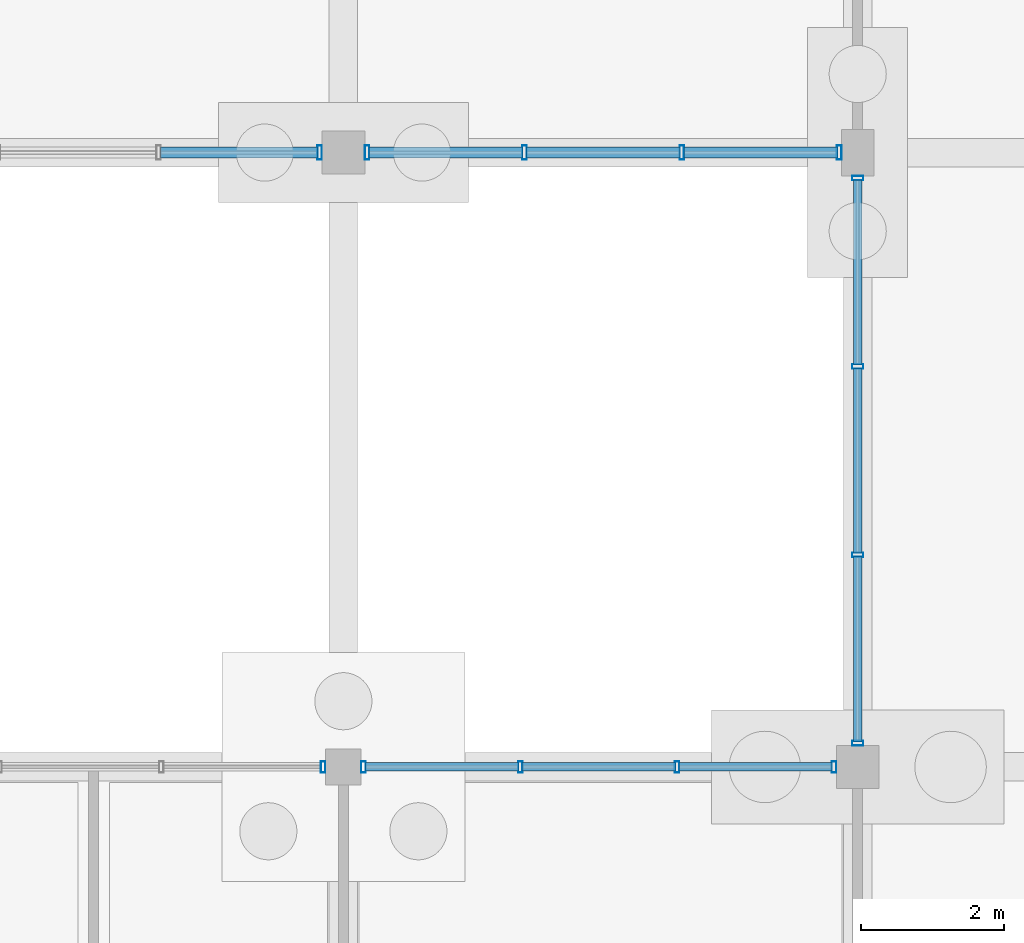
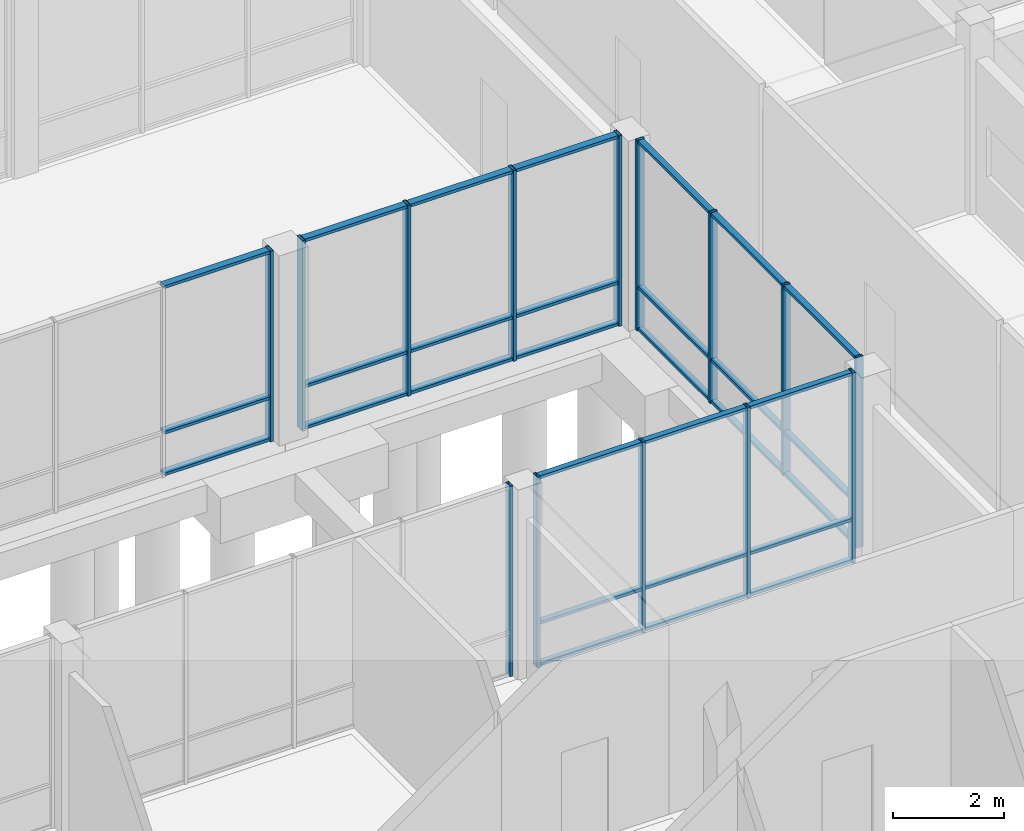
# One storey, part 54 of 104: 44 members, 5 elements without a shape of their own.
"""IFC4 building model written with IfcOpenShell, lengths in metres."""

from ifc_helpers import new_model, si_unit, direction, frame, origin, origin_2d, place, context, subcontext, project, spatial, hollow_rectangle, extrude, material, material_profile, profile_set, type_object, element, aggregate, save


model = new_model("IFC4")

# Units and contexts
model_context = context("Model", 3, precision=1e-05, world=origin(), true_north=direction((0.0, 1.0)))
body_context = subcontext(model_context, "Body", "Model", "MODEL_VIEW")
ifc_project = project(units=[si_unit("LENGTHUNIT", "METRE"), si_unit("AREAUNIT", "SQUARE_METRE"), si_unit("VOLUMEUNIT", "CUBIC_METRE"), si_unit("PLANEANGLEUNIT", "RADIAN"), si_unit("MASSUNIT", "GRAM", prefix="KILO")], contexts=[model_context])

# Site, building, storey
site_placement = place(None, origin())
site = spatial("IfcSite", under=ifc_project, at=site_placement, CompositionType="ELEMENT")
building_placement = place(site_placement, origin())
building = spatial("IfcBuilding", under=site, at=building_placement, Name="Hawrajan Terrace Health Centre", CompositionType="ELEMENT")
storey_placement = place(building_placement, origin())
storey = spatial("IfcBuildingStorey", under=building, at=storey_placement, Name="L00", CompositionType="ELEMENT", Elevation=0.0)

# Curtain wall, member
ifc_material_1 = material(Name="Anodized bronze aluminium and low-E solar glazing", Category="aluminium")
curtain_wall_type_1 = type_object("IfcCurtainWallType", Name="CW_Clerestory_SeriesG3", PredefinedType="USERDEFINED", material=ifc_material_1)
curtain_wall_1_placement = place(storey_placement, origin())
curtain_wall_1 = element("IfcCurtainWall", 1, at=curtain_wall_1_placement, inside=storey, type_object=curtain_wall_type_1, Name="Curtain wall CW-L00-042", ObjectType="UNITISED CURTAIN WALL", PredefinedType="USERDEFINED")
ifc_material_2 = material(Name="Anodized bronze aluminium 6063-T6", Category="aluminium")
ifc_material_profile_1 = material_profile(ifc_material_2, hollow_rectangle(XDim=0.06494140625, YDim=0.159912109375, WallThickness=0.00390625, at=origin_2d()), Name="CW MUL 65x160")
ifc_profile_set_1 = profile_set([ifc_material_profile_1], Name="Anodized bronze aluminium 6063-T6")
member_type_1 = type_object("IfcMemberType", Name="CWMullion_65x160", PredefinedType="MULLION", material=ifc_profile_set_1)
member_1_placement = place(storey_placement, frame((100.3173828125, 18.60009765625, -0.0048828125), z_axis=(0.0, 0.0, 1.0), x_axis=(1.0, 0.0, 0.0)))
member_1 = element("IfcMember", 2, at=member_1_placement, type_object=member_type_1, Name="Mullion CW-L00-042-M5", PredefinedType="MULLION", context=body_context, shape_type="SweptSolid", body=[
    extrude(hollow_rectangle(XDim=0.06494140625, YDim=0.159912109375, WallThickness=0.00390625, at=origin_2d()), origin(), (0.0, 0.0, 1.0), 4.2099609375),
])
aggregate(curtain_wall_1, [member_1])

# Curtain wall, members
curtain_wall_type_2 = type_object("IfcCurtainWallType", Name="CW_Terrace_SeriesK1", PredefinedType="USERDEFINED", material=ifc_material_1)
curtain_wall_2_placement = place(storey_placement, origin())
curtain_wall_2 = element("IfcCurtainWall", 3, at=curtain_wall_2_placement, inside=storey, type_object=curtain_wall_type_2, Name="Curtain wall CW-L00-045", ObjectType="UNITISED CURTAIN WALL", PredefinedType="USERDEFINED")
member_2_placement = place(storey_placement, frame((100.882568359375, 18.60009765625, -0.0048828125), z_axis=(0.0, 0.0, 1.0), x_axis=(1.0, 0.0, 0.0)))
member_2 = element("IfcMember", 4, at=member_2_placement, type_object=member_type_1, Name="Mullion CW-L00-045-M1", PredefinedType="MULLION", context=body_context, shape_type="SweptSolid", body=[
    extrude(hollow_rectangle(XDim=0.06494140625, YDim=0.159912109375, WallThickness=0.00390625, at=origin_2d()), origin(), (0.0, 0.0, 1.0), 4.2099609375),
])
member_3_placement = place(storey_placement, frame((103.077392578125, 18.60009765625, -0.0048828125), z_axis=(0.0, 0.0, 1.0), x_axis=(1.0, 0.0, 0.0)))
member_3 = element("IfcMember", 5, at=member_3_placement, type_object=member_type_1, Name="Mullion CW-L00-045-M2", PredefinedType="MULLION", context=body_context, shape_type="SweptSolid", body=[
    extrude(hollow_rectangle(XDim=0.06494140625, YDim=0.159912109375, WallThickness=0.00390625, at=origin_2d()), origin(), (0.0, 0.0, 1.0), 4.2099609375),
])
member_4_placement = place(storey_placement, frame((105.2724609375, 18.60009765625, -0.0048828125), z_axis=(0.0, 0.0, 1.0), x_axis=(1.0, 0.0, 0.0)))
member_4 = element("IfcMember", 6, at=member_4_placement, type_object=member_type_1, Name="Mullion CW-L00-045-M3", PredefinedType="MULLION", context=body_context, shape_type="SweptSolid", body=[
    extrude(hollow_rectangle(XDim=0.06494140625, YDim=0.159912109375, WallThickness=0.00390625, at=origin_2d()), origin(), (0.0, 0.0, 1.0), 4.2099609375),
])
member_5_placement = place(storey_placement, frame((107.467529296875, 18.60009765625, -0.0048828125), z_axis=(0.0, 0.0, 1.0), x_axis=(1.0, 0.0, 0.0)))
member_5 = element("IfcMember", 7, at=member_5_placement, type_object=member_type_1, Name="Mullion CW-L00-045-M4", PredefinedType="MULLION", context=body_context, shape_type="SweptSolid", body=[
    extrude(hollow_rectangle(XDim=0.06494140625, YDim=0.159912109375, WallThickness=0.00390625, at=origin_2d()), origin(), (0.0, 0.0, 1.0), 4.2099609375),
])

curtain_wall_type_3 = type_object("IfcCurtainWallType", Name="CW_Diagnostic_SeriesM2", PredefinedType="USERDEFINED", material=ifc_material_1)
curtain_wall_3_placement = place(storey_placement, origin())
curtain_wall_3 = element("IfcCurtainWall", 8, at=curtain_wall_3_placement, inside=storey, type_object=curtain_wall_type_3, Name="Curtain wall CW-L00-048", ObjectType="UNITISED CURTAIN WALL", PredefinedType="USERDEFINED")
member_6_placement = place(storey_placement, frame((107.800048828125, 18.9326171875, -0.0048828125), z_axis=(0.0, 0.0, 1.0), x_axis=(0.0, 1.0, 0.0)))
member_6 = element("IfcMember", 9, at=member_6_placement, type_object=member_type_1, Name="Mullion CW-L00-048-M1", PredefinedType="MULLION", context=body_context, shape_type="SweptSolid", body=[
    extrude(hollow_rectangle(XDim=0.06494140625, YDim=0.159912109375, WallThickness=0.00390625, at=origin_2d()), origin(), (0.0, 0.0, 1.0), 4.2099609375),
])
member_7_placement = place(storey_placement, frame((107.800048828125, 21.569091796875, -0.0048828125), z_axis=(0.0, 0.0, 1.0), x_axis=(0.0, 1.0, 0.0)))
member_7 = element("IfcMember", 10, at=member_7_placement, type_object=member_type_1, Name="Mullion CW-L00-048-M2", PredefinedType="MULLION", context=body_context, shape_type="SweptSolid", body=[
    extrude(hollow_rectangle(XDim=0.06494140625, YDim=0.159912109375, WallThickness=0.00390625, at=origin_2d()), origin(), (0.0, 0.0, 1.0), 4.2099609375),
])
member_8_placement = place(storey_placement, frame((107.800048828125, 24.205810546875, -0.0048828125), z_axis=(0.0, 0.0, 1.0), x_axis=(0.0, 1.0, 0.0)))
member_8 = element("IfcMember", 11, at=member_8_placement, type_object=member_type_1, Name="Mullion CW-L00-048-M3", PredefinedType="MULLION", context=body_context, shape_type="SweptSolid", body=[
    extrude(hollow_rectangle(XDim=0.06494140625, YDim=0.159912109375, WallThickness=0.00390625, at=origin_2d()), origin(), (0.0, 0.0, 1.0), 4.2099609375),
])
member_9_placement = place(storey_placement, frame((107.800048828125, 26.842529296875, -0.0048828125), z_axis=(0.0, 0.0, 1.0), x_axis=(0.0, 1.0, 0.0)))
member_9 = element("IfcMember", 12, at=member_9_placement, type_object=member_type_1, Name="Mullion CW-L00-048-M4", PredefinedType="MULLION", context=body_context, shape_type="SweptSolid", body=[
    extrude(hollow_rectangle(XDim=0.06494140625, YDim=0.159912109375, WallThickness=0.00390625, at=origin_2d()), origin(), (0.0, 0.0, 1.0), 4.2099609375),
])

# Curtain wall, member
curtain_wall_type_4 = type_object("IfcCurtainWallType", Name="CW_Vestibule_SeriesH1", PredefinedType="USERDEFINED", material=ifc_material_1)
curtain_wall_4_placement = place(storey_placement, origin())
curtain_wall_4 = element("IfcCurtainWall", 13, at=curtain_wall_4_placement, inside=storey, type_object=curtain_wall_type_4, Name="Curtain wall CW-L00-043", ObjectType="UNITISED CURTAIN WALL", PredefinedType="USERDEFINED")
ifc_material_profile_2 = material_profile(ifc_material_2, hollow_rectangle(XDim=0.06494140625, YDim=0.199951171875, WallThickness=0.00439453125, at=origin_2d()), Name="CW MUL 65x200")
ifc_profile_set_2 = profile_set([ifc_material_profile_2], Name="Anodized bronze aluminium 6063-T6")
member_type_2 = type_object("IfcMemberType", Name="CWMullion_65x200", PredefinedType="MULLION", material=ifc_profile_set_2)
member_10_placement = place(storey_placement, frame((100.267578125, 27.199951171875, -0.0048828125), z_axis=(0.0, 0.0, 1.0), x_axis=(1.0, 0.0, 0.0)))
member_10 = element("IfcMember", 14, at=member_10_placement, type_object=member_type_2, Name="Mullion CW-L00-043-M5", PredefinedType="MULLION", context=body_context, shape_type="SweptSolid", body=[
    extrude(hollow_rectangle(XDim=0.06494140625, YDim=0.199951171875, WallThickness=0.00439453125, at=origin_2d()), origin(), (0.0, 0.0, 1.0), 4.2099609375),
])

# Curtain wall, members
curtain_wall_type_5 = type_object("IfcCurtainWallType", Name="CW_Setback_SeriesL1", PredefinedType="USERDEFINED", material=ifc_material_1)
curtain_wall_5_placement = place(storey_placement, origin())
curtain_wall_5 = element("IfcCurtainWall", 15, at=curtain_wall_5_placement, inside=storey, type_object=curtain_wall_type_5, Name="Curtain wall CW-L00-046", ObjectType="UNITISED CURTAIN WALL", PredefinedType="USERDEFINED")
member_11_placement = place(storey_placement, frame((100.9326171875, 27.199951171875, -0.0048828125), z_axis=(0.0, 0.0, 1.0), x_axis=(1.0, 0.0, 0.0)))
member_11 = element("IfcMember", 16, at=member_11_placement, type_object=member_type_2, Name="Mullion CW-L00-046-M1", PredefinedType="MULLION", context=body_context, shape_type="SweptSolid", body=[
    extrude(hollow_rectangle(XDim=0.06494140625, YDim=0.199951171875, WallThickness=0.00439453125, at=origin_2d()), origin(), (0.0, 0.0, 1.0), 4.2099609375),
])
member_12_placement = place(storey_placement, frame((103.1357421875, 27.199951171875, -0.0048828125), z_axis=(0.0, 0.0, 1.0), x_axis=(1.0, 0.0, 0.0)))
member_12 = element("IfcMember", 17, at=member_12_placement, type_object=member_type_2, Name="Mullion CW-L00-046-M2", PredefinedType="MULLION", context=body_context, shape_type="SweptSolid", body=[
    extrude(hollow_rectangle(XDim=0.06494140625, YDim=0.199951171875, WallThickness=0.00439453125, at=origin_2d()), origin(), (0.0, 0.0, 1.0), 4.2099609375),
])
member_13_placement = place(storey_placement, frame((105.339111328125, 27.199951171875, -0.0048828125), z_axis=(0.0, 0.0, 1.0), x_axis=(1.0, 0.0, 0.0)))
member_13 = element("IfcMember", 18, at=member_13_placement, type_object=member_type_2, Name="Mullion CW-L00-046-M3", PredefinedType="MULLION", context=body_context, shape_type="SweptSolid", body=[
    extrude(hollow_rectangle(XDim=0.06494140625, YDim=0.199951171875, WallThickness=0.00439453125, at=origin_2d()), origin(), (0.0, 0.0, 1.0), 4.2099609375),
])
member_14_placement = place(storey_placement, frame((107.54248046875, 27.199951171875, -0.0048828125), z_axis=(0.0, 0.0, 1.0), x_axis=(1.0, 0.0, 0.0)))
member_14 = element("IfcMember", 19, at=member_14_placement, type_object=member_type_2, Name="Mullion CW-L00-046-M4", PredefinedType="MULLION", context=body_context, shape_type="SweptSolid", body=[
    extrude(hollow_rectangle(XDim=0.06494140625, YDim=0.199951171875, WallThickness=0.00439453125, at=origin_2d()), origin(), (0.0, 0.0, 1.0), 4.2099609375),
])

# Member
ifc_material_profile_3 = material_profile(ifc_material_2, hollow_rectangle(XDim=0.06494140625, YDim=0.1201171875, WallThickness=0.00341796875, at=origin_2d()), Name="CW TRN 65x120")
ifc_profile_set_3 = profile_set([ifc_material_profile_3], Name="Anodized bronze aluminium 6063-T6")
member_type_3 = type_object("IfcMemberType", Name="CWTransom_65x120", PredefinedType="USERDEFINED", material=ifc_profile_set_3)
member_15_placement = place(storey_placement, frame((100.908935546875, 18.60009765625, 0.032470703125), z_axis=(1.0, 0.0, 0.0), x_axis=(0.0, 0.0, 1.0)))
member_15 = element("IfcMember", 20, at=member_15_placement, type_object=member_type_3, Name="Transom CW-L00-045-T1-1", ObjectType="TRANSOM", PredefinedType="USERDEFINED", context=body_context, shape_type="SweptSolid", body=[
    extrude(hollow_rectangle(XDim=0.06494140625, YDim=0.1201171875, WallThickness=0.00341796875, at=origin_2d()), origin(), (0.0, 0.0, 1.0), 2.14208984375),
])

member_16_placement = place(storey_placement, frame((100.908935546875, 18.60009765625, 0.949951171875), z_axis=(1.0, 0.0, 0.0), x_axis=(0.0, 0.0, 1.0)))
member_16 = element("IfcMember", 21, at=member_16_placement, type_object=member_type_3, Name="Transom CW-L00-045-T1-2", ObjectType="TRANSOM", PredefinedType="USERDEFINED", context=body_context, shape_type="SweptSolid", body=[
    extrude(hollow_rectangle(XDim=0.06494140625, YDim=0.1201171875, WallThickness=0.00341796875, at=origin_2d()), origin(), (0.0, 0.0, 1.0), 2.14208984375),
])

member_17_placement = place(storey_placement, frame((100.908935546875, 18.60009765625, 4.16748046875), z_axis=(1.0, 0.0, 0.0), x_axis=(0.0, 0.0, 1.0)))
member_17 = element("IfcMember", 22, at=member_17_placement, type_object=member_type_3, Name="Transom CW-L00-045-T1-3", ObjectType="TRANSOM", PredefinedType="USERDEFINED", context=body_context, shape_type="SweptSolid", body=[
    extrude(hollow_rectangle(XDim=0.06494140625, YDim=0.1201171875, WallThickness=0.00341796875, at=origin_2d()), origin(), (0.0, 0.0, 1.0), 2.14208984375),
])

member_18_placement = place(storey_placement, frame((103.10400390625, 18.60009765625, 0.032470703125), z_axis=(1.0, 0.0, 0.0), x_axis=(0.0, 0.0, 1.0)))
member_18 = element("IfcMember", 23, at=member_18_placement, type_object=member_type_3, Name="Transom CW-L00-045-T2-1", ObjectType="TRANSOM", PredefinedType="USERDEFINED", context=body_context, shape_type="SweptSolid", body=[
    extrude(hollow_rectangle(XDim=0.06494140625, YDim=0.1201171875, WallThickness=0.00341796875, at=origin_2d()), origin(), (0.0, 0.0, 1.0), 2.14208984375),
])

member_19_placement = place(storey_placement, frame((103.10400390625, 18.60009765625, 0.949951171875), z_axis=(1.0, 0.0, 0.0), x_axis=(0.0, 0.0, 1.0)))
member_19 = element("IfcMember", 24, at=member_19_placement, type_object=member_type_3, Name="Transom CW-L00-045-T2-2", ObjectType="TRANSOM", PredefinedType="USERDEFINED", context=body_context, shape_type="SweptSolid", body=[
    extrude(hollow_rectangle(XDim=0.06494140625, YDim=0.1201171875, WallThickness=0.00341796875, at=origin_2d()), origin(), (0.0, 0.0, 1.0), 2.14208984375),
])

member_20_placement = place(storey_placement, frame((103.10400390625, 18.60009765625, 4.16748046875), z_axis=(1.0, 0.0, 0.0), x_axis=(0.0, 0.0, 1.0)))
member_20 = element("IfcMember", 25, at=member_20_placement, type_object=member_type_3, Name="Transom CW-L00-045-T2-3", ObjectType="TRANSOM", PredefinedType="USERDEFINED", context=body_context, shape_type="SweptSolid", body=[
    extrude(hollow_rectangle(XDim=0.06494140625, YDim=0.1201171875, WallThickness=0.00341796875, at=origin_2d()), origin(), (0.0, 0.0, 1.0), 2.14208984375),
])

member_21_placement = place(storey_placement, frame((105.299072265625, 18.60009765625, 0.032470703125), z_axis=(1.0, 0.0, 0.0), x_axis=(0.0, 0.0, 1.0)))
member_21 = element("IfcMember", 26, at=member_21_placement, type_object=member_type_3, Name="Transom CW-L00-045-T3-1", ObjectType="TRANSOM", PredefinedType="USERDEFINED", context=body_context, shape_type="SweptSolid", body=[
    extrude(hollow_rectangle(XDim=0.06494140625, YDim=0.1201171875, WallThickness=0.00341796875, at=origin_2d()), origin(), (0.0, 0.0, 1.0), 2.141845703125),
])

member_22_placement = place(storey_placement, frame((105.299072265625, 18.60009765625, 0.949951171875), z_axis=(1.0, 0.0, 0.0), x_axis=(0.0, 0.0, 1.0)))
member_22 = element("IfcMember", 27, at=member_22_placement, type_object=member_type_3, Name="Transom CW-L00-045-T3-2", ObjectType="TRANSOM", PredefinedType="USERDEFINED", context=body_context, shape_type="SweptSolid", body=[
    extrude(hollow_rectangle(XDim=0.06494140625, YDim=0.1201171875, WallThickness=0.00341796875, at=origin_2d()), origin(), (0.0, 0.0, 1.0), 2.141845703125),
])

member_23_placement = place(storey_placement, frame((105.299072265625, 18.60009765625, 4.16748046875), z_axis=(1.0, 0.0, 0.0), x_axis=(0.0, 0.0, 1.0)))
member_23 = element("IfcMember", 28, at=member_23_placement, type_object=member_type_3, Name="Transom CW-L00-045-T3-3", ObjectType="TRANSOM", PredefinedType="USERDEFINED", context=body_context, shape_type="SweptSolid", body=[
    extrude(hollow_rectangle(XDim=0.06494140625, YDim=0.1201171875, WallThickness=0.00341796875, at=origin_2d()), origin(), (0.0, 0.0, 1.0), 2.141845703125),
])

aggregate(curtain_wall_2, [member_2, member_3, member_4, member_5, member_15, member_16, member_17, member_18, member_19, member_20, member_21, member_22, member_23])

member_24_placement = place(storey_placement, frame((107.800048828125, 18.958984375, 0.032470703125), z_axis=(0.0, 1.0, 0.0), x_axis=(0.0, 0.0, 1.0)))
member_24 = element("IfcMember", 29, at=member_24_placement, type_object=member_type_3, Name="Transom CW-L00-048-T1-1", ObjectType="TRANSOM", PredefinedType="USERDEFINED", context=body_context, shape_type="SweptSolid", body=[
    extrude(hollow_rectangle(XDim=0.06494140625, YDim=0.1201171875, WallThickness=0.00341796875, at=origin_2d()), origin(), (0.0, 0.0, 1.0), 2.583740234375),
])

member_25_placement = place(storey_placement, frame((107.800048828125, 18.958984375, 0.949951171875), z_axis=(0.0, 1.0, 0.0), x_axis=(0.0, 0.0, 1.0)))
member_25 = element("IfcMember", 30, at=member_25_placement, type_object=member_type_3, Name="Transom CW-L00-048-T1-2", ObjectType="TRANSOM", PredefinedType="USERDEFINED", context=body_context, shape_type="SweptSolid", body=[
    extrude(hollow_rectangle(XDim=0.06494140625, YDim=0.1201171875, WallThickness=0.00341796875, at=origin_2d()), origin(), (0.0, 0.0, 1.0), 2.583740234375),
])

member_26_placement = place(storey_placement, frame((107.800048828125, 18.958984375, 4.16748046875), z_axis=(0.0, 1.0, 0.0), x_axis=(0.0, 0.0, 1.0)))
member_26 = element("IfcMember", 31, at=member_26_placement, type_object=member_type_3, Name="Transom CW-L00-048-T1-3", ObjectType="TRANSOM", PredefinedType="USERDEFINED", context=body_context, shape_type="SweptSolid", body=[
    extrude(hollow_rectangle(XDim=0.06494140625, YDim=0.1201171875, WallThickness=0.00341796875, at=origin_2d()), origin(), (0.0, 0.0, 1.0), 2.583740234375),
])

member_27_placement = place(storey_placement, frame((107.800048828125, 21.595703125, 0.032470703125), z_axis=(0.0, 1.0, 0.0), x_axis=(0.0, 0.0, 1.0)))
member_27 = element("IfcMember", 32, at=member_27_placement, type_object=member_type_3, Name="Transom CW-L00-048-T2-1", ObjectType="TRANSOM", PredefinedType="USERDEFINED", context=body_context, shape_type="SweptSolid", body=[
    extrude(hollow_rectangle(XDim=0.06494140625, YDim=0.1201171875, WallThickness=0.00341796875, at=origin_2d()), origin(), (0.0, 0.0, 1.0), 2.58349609375),
])

member_28_placement = place(storey_placement, frame((107.800048828125, 21.595703125, 0.949951171875), z_axis=(0.0, 1.0, 0.0), x_axis=(0.0, 0.0, 1.0)))
member_28 = element("IfcMember", 33, at=member_28_placement, type_object=member_type_3, Name="Transom CW-L00-048-T2-2", ObjectType="TRANSOM", PredefinedType="USERDEFINED", context=body_context, shape_type="SweptSolid", body=[
    extrude(hollow_rectangle(XDim=0.06494140625, YDim=0.1201171875, WallThickness=0.00341796875, at=origin_2d()), origin(), (0.0, 0.0, 1.0), 2.58349609375),
])

member_29_placement = place(storey_placement, frame((107.800048828125, 21.595703125, 4.16748046875), z_axis=(0.0, 1.0, 0.0), x_axis=(0.0, 0.0, 1.0)))
member_29 = element("IfcMember", 34, at=member_29_placement, type_object=member_type_3, Name="Transom CW-L00-048-T2-3", ObjectType="TRANSOM", PredefinedType="USERDEFINED", context=body_context, shape_type="SweptSolid", body=[
    extrude(hollow_rectangle(XDim=0.06494140625, YDim=0.1201171875, WallThickness=0.00341796875, at=origin_2d()), origin(), (0.0, 0.0, 1.0), 2.58349609375),
])

member_30_placement = place(storey_placement, frame((107.800048828125, 24.232421875, 0.032470703125), z_axis=(0.0, 1.0, 0.0), x_axis=(0.0, 0.0, 1.0)))
member_30 = element("IfcMember", 35, at=member_30_placement, type_object=member_type_3, Name="Transom CW-L00-048-T3-1", ObjectType="TRANSOM", PredefinedType="USERDEFINED", context=body_context, shape_type="SweptSolid", body=[
    extrude(hollow_rectangle(XDim=0.06494140625, YDim=0.1201171875, WallThickness=0.00341796875, at=origin_2d()), origin(), (0.0, 0.0, 1.0), 2.58349609375),
])

member_31_placement = place(storey_placement, frame((107.800048828125, 24.232421875, 0.949951171875), z_axis=(0.0, 1.0, 0.0), x_axis=(0.0, 0.0, 1.0)))
member_31 = element("IfcMember", 36, at=member_31_placement, type_object=member_type_3, Name="Transom CW-L00-048-T3-2", ObjectType="TRANSOM", PredefinedType="USERDEFINED", context=body_context, shape_type="SweptSolid", body=[
    extrude(hollow_rectangle(XDim=0.06494140625, YDim=0.1201171875, WallThickness=0.00341796875, at=origin_2d()), origin(), (0.0, 0.0, 1.0), 2.58349609375),
])

member_32_placement = place(storey_placement, frame((107.800048828125, 24.232421875, 4.16748046875), z_axis=(0.0, 1.0, 0.0), x_axis=(0.0, 0.0, 1.0)))
member_32 = element("IfcMember", 37, at=member_32_placement, type_object=member_type_3, Name="Transom CW-L00-048-T3-3", ObjectType="TRANSOM", PredefinedType="USERDEFINED", context=body_context, shape_type="SweptSolid", body=[
    extrude(hollow_rectangle(XDim=0.06494140625, YDim=0.1201171875, WallThickness=0.00341796875, at=origin_2d()), origin(), (0.0, 0.0, 1.0), 2.58349609375),
])

aggregate(curtain_wall_3, [member_6, member_7, member_8, member_9, member_24, member_25, member_26, member_27, member_28, member_29, member_30, member_31, member_32])

ifc_material_profile_4 = material_profile(ifc_material_2, hollow_rectangle(XDim=0.06494140625, YDim=0.14990234375, WallThickness=0.00390625, at=origin_2d()), Name="CW TRN 65x150")
ifc_profile_set_4 = profile_set([ifc_material_profile_4], Name="Anodized bronze aluminium 6063-T6")
member_type_4 = type_object("IfcMemberType", Name="CWTransom_65x150", PredefinedType="USERDEFINED", material=ifc_profile_set_4)
member_33_placement = place(storey_placement, frame((98.04150390625, 27.199951171875, 0.032470703125), z_axis=(1.0, 0.0, 0.0), x_axis=(0.0, 0.0, 1.0)))
member_33 = element("IfcMember", 38, at=member_33_placement, type_object=member_type_4, Name="Transom CW-L00-043-T4-1", ObjectType="TRANSOM", PredefinedType="USERDEFINED", context=body_context, shape_type="SweptSolid", body=[
    extrude(hollow_rectangle(XDim=0.06494140625, YDim=0.14990234375, WallThickness=0.00390625, at=origin_2d()), origin(), (0.0, 0.0, 1.0), 2.199462890625),
])

member_34_placement = place(storey_placement, frame((98.04150390625, 27.199951171875, 0.949951171875), z_axis=(1.0, 0.0, 0.0), x_axis=(0.0, 0.0, 1.0)))
member_34 = element("IfcMember", 39, at=member_34_placement, type_object=member_type_4, Name="Transom CW-L00-043-T4-2", ObjectType="TRANSOM", PredefinedType="USERDEFINED", context=body_context, shape_type="SweptSolid", body=[
    extrude(hollow_rectangle(XDim=0.06494140625, YDim=0.14990234375, WallThickness=0.00390625, at=origin_2d()), origin(), (0.0, 0.0, 1.0), 2.199462890625),
])

member_35_placement = place(storey_placement, frame((98.04150390625, 27.199951171875, 4.16748046875), z_axis=(1.0, 0.0, 0.0), x_axis=(0.0, 0.0, 1.0)))
member_35 = element("IfcMember", 40, at=member_35_placement, type_object=member_type_4, Name="Transom CW-L00-043-T4-3", ObjectType="TRANSOM", PredefinedType="USERDEFINED", context=body_context, shape_type="SweptSolid", body=[
    extrude(hollow_rectangle(XDim=0.06494140625, YDim=0.14990234375, WallThickness=0.00390625, at=origin_2d()), origin(), (0.0, 0.0, 1.0), 2.199462890625),
])

aggregate(curtain_wall_4, [member_10, member_33, member_34, member_35])

member_36_placement = place(storey_placement, frame((100.958984375, 27.199951171875, 0.032470703125), z_axis=(1.0, 0.0, 0.0), x_axis=(0.0, 0.0, 1.0)))
member_36 = element("IfcMember", 41, at=member_36_placement, type_object=member_type_4, Name="Transom CW-L00-046-T1-1", ObjectType="TRANSOM", PredefinedType="USERDEFINED", context=body_context, shape_type="SweptSolid", body=[
    extrude(hollow_rectangle(XDim=0.06494140625, YDim=0.14990234375, WallThickness=0.00390625, at=origin_2d()), origin(), (0.0, 0.0, 1.0), 2.150390625),
])

member_37_placement = place(storey_placement, frame((100.958984375, 27.199951171875, 0.949951171875), z_axis=(1.0, 0.0, 0.0), x_axis=(0.0, 0.0, 1.0)))
member_37 = element("IfcMember", 42, at=member_37_placement, type_object=member_type_4, Name="Transom CW-L00-046-T1-2", ObjectType="TRANSOM", PredefinedType="USERDEFINED", context=body_context, shape_type="SweptSolid", body=[
    extrude(hollow_rectangle(XDim=0.06494140625, YDim=0.14990234375, WallThickness=0.00390625, at=origin_2d()), origin(), (0.0, 0.0, 1.0), 2.150390625),
])

member_38_placement = place(storey_placement, frame((100.958984375, 27.199951171875, 4.16748046875), z_axis=(1.0, 0.0, 0.0), x_axis=(0.0, 0.0, 1.0)))
member_38 = element("IfcMember", 43, at=member_38_placement, type_object=member_type_4, Name="Transom CW-L00-046-T1-3", ObjectType="TRANSOM", PredefinedType="USERDEFINED", context=body_context, shape_type="SweptSolid", body=[
    extrude(hollow_rectangle(XDim=0.06494140625, YDim=0.14990234375, WallThickness=0.00390625, at=origin_2d()), origin(), (0.0, 0.0, 1.0), 2.150390625),
])

member_39_placement = place(storey_placement, frame((103.162353515625, 27.199951171875, 0.032470703125), z_axis=(1.0, 0.0, 0.0), x_axis=(0.0, 0.0, 1.0)))
member_39 = element("IfcMember", 44, at=member_39_placement, type_object=member_type_4, Name="Transom CW-L00-046-T2-1", ObjectType="TRANSOM", PredefinedType="USERDEFINED", context=body_context, shape_type="SweptSolid", body=[
    extrude(hollow_rectangle(XDim=0.06494140625, YDim=0.14990234375, WallThickness=0.00390625, at=origin_2d()), origin(), (0.0, 0.0, 1.0), 2.150390625),
])

member_40_placement = place(storey_placement, frame((103.162353515625, 27.199951171875, 0.949951171875), z_axis=(1.0, 0.0, 0.0), x_axis=(0.0, 0.0, 1.0)))
member_40 = element("IfcMember", 45, at=member_40_placement, type_object=member_type_4, Name="Transom CW-L00-046-T2-2", ObjectType="TRANSOM", PredefinedType="USERDEFINED", context=body_context, shape_type="SweptSolid", body=[
    extrude(hollow_rectangle(XDim=0.06494140625, YDim=0.14990234375, WallThickness=0.00390625, at=origin_2d()), origin(), (0.0, 0.0, 1.0), 2.150390625),
])

member_41_placement = place(storey_placement, frame((103.162353515625, 27.199951171875, 4.16748046875), z_axis=(1.0, 0.0, 0.0), x_axis=(0.0, 0.0, 1.0)))
member_41 = element("IfcMember", 46, at=member_41_placement, type_object=member_type_4, Name="Transom CW-L00-046-T2-3", ObjectType="TRANSOM", PredefinedType="USERDEFINED", context=body_context, shape_type="SweptSolid", body=[
    extrude(hollow_rectangle(XDim=0.06494140625, YDim=0.14990234375, WallThickness=0.00390625, at=origin_2d()), origin(), (0.0, 0.0, 1.0), 2.150390625),
])

member_42_placement = place(storey_placement, frame((105.36572265625, 27.199951171875, 0.032470703125), z_axis=(1.0, 0.0, 0.0), x_axis=(0.0, 0.0, 1.0)))
member_42 = element("IfcMember", 47, at=member_42_placement, type_object=member_type_4, Name="Transom CW-L00-046-T3-1", ObjectType="TRANSOM", PredefinedType="USERDEFINED", context=body_context, shape_type="SweptSolid", body=[
    extrude(hollow_rectangle(XDim=0.06494140625, YDim=0.14990234375, WallThickness=0.00390625, at=origin_2d()), origin(), (0.0, 0.0, 1.0), 2.150390625),
])

member_43_placement = place(storey_placement, frame((105.36572265625, 27.199951171875, 0.949951171875), z_axis=(1.0, 0.0, 0.0), x_axis=(0.0, 0.0, 1.0)))
member_43 = element("IfcMember", 48, at=member_43_placement, type_object=member_type_4, Name="Transom CW-L00-046-T3-2", ObjectType="TRANSOM", PredefinedType="USERDEFINED", context=body_context, shape_type="SweptSolid", body=[
    extrude(hollow_rectangle(XDim=0.06494140625, YDim=0.14990234375, WallThickness=0.00390625, at=origin_2d()), origin(), (0.0, 0.0, 1.0), 2.150390625),
])

member_44_placement = place(storey_placement, frame((105.36572265625, 27.199951171875, 4.16748046875), z_axis=(1.0, 0.0, 0.0), x_axis=(0.0, 0.0, 1.0)))
member_44 = element("IfcMember", 49, at=member_44_placement, type_object=member_type_4, Name="Transom CW-L00-046-T3-3", ObjectType="TRANSOM", PredefinedType="USERDEFINED", context=body_context, shape_type="SweptSolid", body=[
    extrude(hollow_rectangle(XDim=0.06494140625, YDim=0.14990234375, WallThickness=0.00390625, at=origin_2d()), origin(), (0.0, 0.0, 1.0), 2.150390625),
])

aggregate(curtain_wall_5, [member_11, member_12, member_13, member_14, member_36, member_37, member_38, member_39, member_40, member_41, member_42, member_43, member_44])

save(model, "model.ifc")
